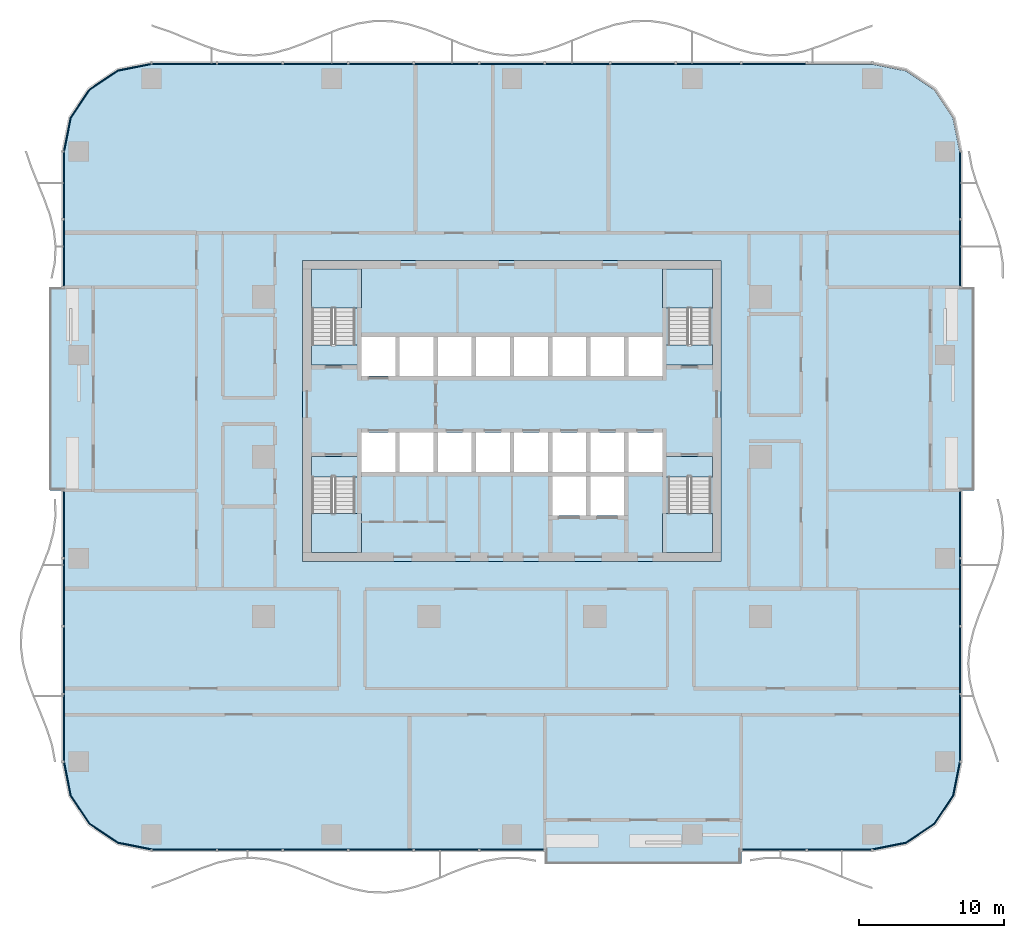
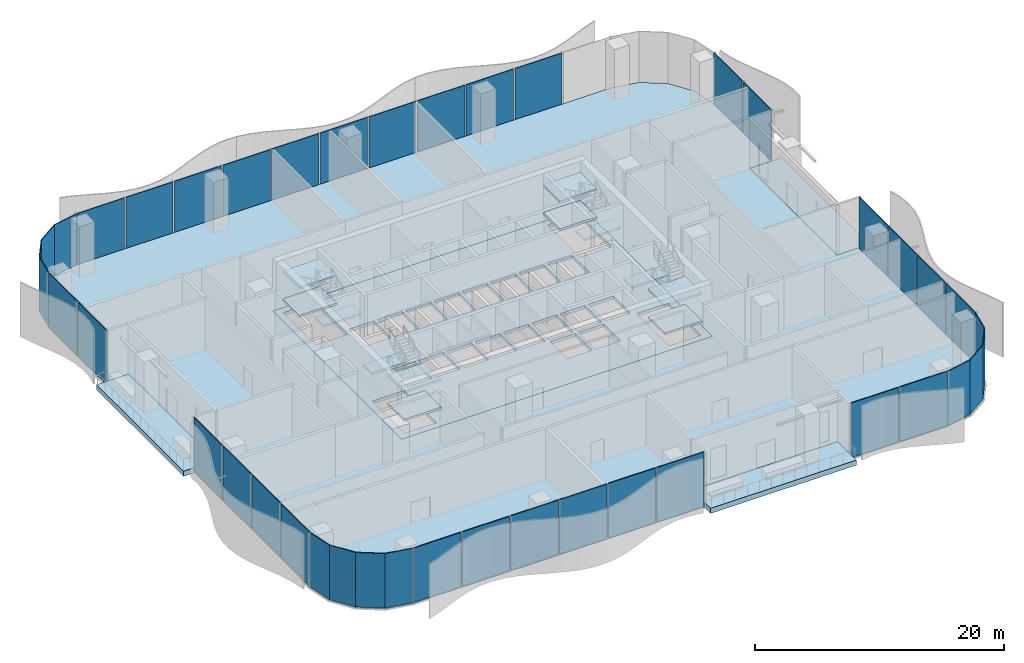
# One storey, part 6 of 21: 33 plates, 17 slabs, 14 elements without a shape of their own.
"""IFC4 building model written with IfcOpenShell, lengths in metres."""

from ifc_helpers import new_model, si_unit, direction, frame, origin, origin_2d, place, context, subcontext, project, spatial, polyline, rectangle, outline, extrude, material, layer, layer_set, type_object, element, aggregate, save


model = new_model("IFC4")

# Units and contexts
model_context = context("Model", 3, precision=1e-05, world=origin(), true_north=direction((0.0, 1.0)))
body_context = subcontext(model_context, "Body", "Model", "MODEL_VIEW")
ifc_project = project(units=[si_unit("LENGTHUNIT", "METRE"), si_unit("AREAUNIT", "SQUARE_METRE"), si_unit("VOLUMEUNIT", "CUBIC_METRE"), si_unit("PLANEANGLEUNIT", "RADIAN"), si_unit("MASSUNIT", "GRAM", prefix="KILO")], contexts=[model_context])

# Site, building, storey
site_placement = place(None, origin())
site = spatial("IfcSite", under=ifc_project, at=site_placement, CompositionType="ELEMENT")
building_placement = place(site_placement, origin())
building = spatial("IfcBuilding", under=site, at=building_placement, Name="Mopane Tessera Tower", CompositionType="ELEMENT")
storey_placement = place(building_placement, frame((0.0, 0.0, 20.0)))
storey = spatial("IfcBuildingStorey", under=building, at=storey_placement, Name="L03", CompositionType="ELEMENT", Elevation=20.0)

# Slab
ifc_material_1 = material(Name="Concrete C40/50", Category="concrete")
ifc_layer_1 = layer(ifc_material_1, 0.300048828125)
ifc_layer_set_1 = layer_set([ifc_layer_1], Name="Concrete C40/50")
slab_type_1 = type_object("IfcSlabType", Name="Core floor slab 300 mm", PredefinedType="FLOOR", material=ifc_layer_set_1)
slab_1_placement = place(storey_placement, frame((0.0, 0.0, -0.300048828125)))
element("IfcSlab", 1, at=slab_1_placement, inside=storey, type_object=slab_type_1, Name="L03 core floor slab", PredefinedType="FLOOR", context=body_context, shape_type="SweptSolid", body=[
    extrude(outline(polyline([(-14.39990234375, -7.199951171875), (14.39990234375, -7.199951171875), (14.39990234375, 13.5), (-14.39990234375, 13.5), (-14.39990234375, -7.199951171875)]), holes=[polyline([(-10.35009765625, -1.050048828125), (-8.02490234375, -1.050048828125), (-8.02490234375, 1.64990234375), (-10.35009765625, 1.64990234375), (-10.35009765625, -1.050048828125)]), polyline([(-7.72509765625, -1.050048828125), (-5.39990234375, -1.050048828125), (-5.39990234375, 1.64990234375), (-7.72509765625, 1.64990234375), (-7.72509765625, -1.050048828125)]), polyline([(-5.10009765625, -1.050048828125), (-2.77490234375, -1.050048828125), (-2.77490234375, 1.64990234375), (-5.10009765625, 1.64990234375), (-5.10009765625, -1.050048828125)]), polyline([(-2.47509765625, -1.050048828125), (-0.14990234375, -1.050048828125), (-0.14990234375, 1.64990234375), (-2.47509765625, 1.64990234375), (-2.47509765625, -1.050048828125)]), polyline([(0.14990234375, -1.050048828125), (2.47509765625, -1.050048828125), (2.47509765625, 1.64990234375), (0.14990234375, 1.64990234375), (0.14990234375, -1.050048828125)]), polyline([(2.77490234375, -1.050048828125), (5.10009765625, -1.050048828125), (5.10009765625, 1.64990234375), (2.77490234375, 1.64990234375), (2.77490234375, -1.050048828125)]), polyline([(5.39990234375, -1.050048828125), (7.72509765625, -1.050048828125), (7.72509765625, 1.64990234375), (5.39990234375, 1.64990234375), (5.39990234375, -1.050048828125)]), polyline([(8.02490234375, -1.050048828125), (10.35009765625, -1.050048828125), (10.35009765625, 1.64990234375), (8.02490234375, 1.64990234375), (8.02490234375, -1.050048828125)]), polyline([(-10.35009765625, 5.550048828125), (-8.02490234375, 5.550048828125), (-8.02490234375, 8.25), (-10.35009765625, 8.25), (-10.35009765625, 5.550048828125)]), polyline([(-7.72509765625, 5.550048828125), (-5.39990234375, 5.550048828125), (-5.39990234375, 8.25), (-7.72509765625, 8.25), (-7.72509765625, 5.550048828125)]), polyline([(-5.10009765625, 5.550048828125), (-2.77490234375, 5.550048828125), (-2.77490234375, 8.25), (-5.10009765625, 8.25), (-5.10009765625, 5.550048828125)]), polyline([(-2.47509765625, 5.550048828125), (-0.14990234375, 5.550048828125), (-0.14990234375, 8.25), (-2.47509765625, 8.25), (-2.47509765625, 5.550048828125)]), polyline([(0.14990234375, 5.550048828125), (2.47509765625, 5.550048828125), (2.47509765625, 8.25), (0.14990234375, 8.25), (0.14990234375, 5.550048828125)]), polyline([(2.77490234375, 5.550048828125), (5.10009765625, 5.550048828125), (5.10009765625, 8.25), (2.77490234375, 8.25), (2.77490234375, 5.550048828125)]), polyline([(5.39990234375, 5.550048828125), (7.72509765625, 5.550048828125), (7.72509765625, 8.25), (5.39990234375, 8.25), (5.39990234375, 5.550048828125)]), polyline([(8.02490234375, 5.550048828125), (10.35009765625, 5.550048828125), (10.35009765625, 8.25), (8.02490234375, 8.25), (8.02490234375, 5.550048828125)]), polyline([(2.77490234375, -4.050048828125), (5.10009765625, -4.050048828125), (5.10009765625, -1.35009765625), (2.77490234375, -1.35009765625), (2.77490234375, -4.050048828125)]), polyline([(5.39990234375, -4.050048828125), (7.72509765625, -4.050048828125), (7.72509765625, -1.35009765625), (5.39990234375, -1.35009765625), (5.39990234375, -4.050048828125)]), polyline([(-13.75, -1.405029296875), (-13.75, -6.60009765625), (-10.800048828125, -6.60009765625), (-10.800048828125, -1.405029296875), (-13.75, -1.405029296875)]), polyline([(-10.800048828125, 7.705078125), (-10.800048828125, 12.89990234375), (-13.75, 12.89990234375), (-13.75, 7.705078125), (-10.800048828125, 7.705078125)]), polyline([(10.75, -1.405029296875), (10.75, -6.60009765625), (13.699951171875, -6.60009765625), (13.699951171875, -1.405029296875), (10.75, -1.405029296875)]), polyline([(13.699951171875, 7.705078125), (13.699951171875, 12.89990234375), (10.75, 12.89990234375), (10.75, 7.705078125), (13.699951171875, 7.705078125)])]), origin(), (0.0, 0.0, 1.0), 0.300048828125),
])

# Stair, slabs
ifc_material_2 = material(Name="Concrete C50/60", Category="concrete")
stair_type = type_object("IfcStairType", Name="Escape stair 1400 mm, riser 138 mm", PredefinedType="HALF_TURN_STAIR", material=ifc_material_2)
stair_1_placement = place(storey_placement, origin())
stair_1 = element("IfcStair", 2, at=stair_1_placement, inside=storey, type_object=stair_type, Name="L03 Escape stair south-west", PredefinedType="HALF_TURN_STAIR")
ifc_material_3 = material(Name="Concrete C50/60", Category="concrete")
ifc_layer_2 = layer(ifc_material_3, 0.199951171875)
ifc_layer_set_2 = layer_set([ifc_layer_2], Name="Concrete C50/60")
slab_type_2 = type_object("IfcSlabType", Name="Escape stair landing 200 mm", PredefinedType="LANDING", material=ifc_layer_set_2)
slab_2_placement = place(storey_placement, frame((0.0, 0.0, 1.175048828125)))
slab_2 = element("IfcSlab", 3, at=slab_2_placement, type_object=slab_type_2, Name="ST1 landing 1", PredefinedType="LANDING", context=body_context, shape_type="SweptSolid", body=[
    extrude(outline(polyline([(-13.800048828125, -3.919921875), (-13.800048828125, -6.60009765625), (-10.35009765625, -6.60009765625), (-10.35009765625, -3.919921875), (-13.800048828125, -3.919921875)])), origin(), (0.0, 0.0, 1.0), 0.199951171875),
])
slab_3_placement = place(storey_placement, frame((0.0, 0.0, 2.550048828125)))
slab_3 = element("IfcSlab", 4, at=slab_3_placement, type_object=slab_type_2, Name="ST1 landing 2", PredefinedType="LANDING", context=body_context, shape_type="SweptSolid", body=[
    extrude(outline(polyline([(-13.800048828125, 0.0), (-13.800048828125, -1.39990234375), (-10.35009765625, -1.39990234375), (-10.35009765625, 0.0), (-13.800048828125, 0.0)])), origin(), (0.0, 0.0, 1.0), 0.199951171875),
])
slab_4_placement = place(storey_placement, frame((0.0, 0.0, 3.925048828125)))
slab_4 = element("IfcSlab", 5, at=slab_4_placement, type_object=slab_type_2, Name="ST1 landing 3", PredefinedType="LANDING", context=body_context, shape_type="SweptSolid", body=[
    extrude(outline(polyline([(-13.800048828125, -3.919921875), (-13.800048828125, -6.60009765625), (-10.35009765625, -6.60009765625), (-10.35009765625, -3.919921875), (-13.800048828125, -3.919921875)])), origin(), (0.0, 0.0, 1.0), 0.199951171875),
])
aggregate(stair_1, [slab_2, slab_3, slab_4])

stair_2_placement = place(storey_placement, origin())
stair_2 = element("IfcStair", 6, at=stair_2_placement, inside=storey, type_object=stair_type, Name="L03 Escape stair north-west", PredefinedType="HALF_TURN_STAIR")
slab_5_placement = place(storey_placement, frame((0.0, 0.0, 1.175048828125)))
slab_5 = element("IfcSlab", 7, at=slab_5_placement, type_object=slab_type_2, Name="ST2 landing 1", PredefinedType="LANDING", context=body_context, shape_type="SweptSolid", body=[
    extrude(outline(polyline([(-10.35009765625, 10.219970703125), (-10.35009765625, 12.89990234375), (-13.800048828125, 12.89990234375), (-13.800048828125, 10.219970703125), (-10.35009765625, 10.219970703125)])), origin(), (0.0, 0.0, 1.0), 0.199951171875),
])
slab_6_placement = place(storey_placement, frame((0.0, 0.0, 2.550048828125)))
slab_6 = element("IfcSlab", 8, at=slab_6_placement, type_object=slab_type_2, Name="ST2 landing 2", PredefinedType="LANDING", context=body_context, shape_type="SweptSolid", body=[
    extrude(outline(polyline([(-10.35009765625, 6.300048828125), (-10.35009765625, 7.699951171875), (-13.800048828125, 7.699951171875), (-13.800048828125, 6.300048828125), (-10.35009765625, 6.300048828125)])), origin(), (0.0, 0.0, 1.0), 0.199951171875),
])
slab_7_placement = place(storey_placement, frame((0.0, 0.0, 3.925048828125)))
slab_7 = element("IfcSlab", 9, at=slab_7_placement, type_object=slab_type_2, Name="ST2 landing 3", PredefinedType="LANDING", context=body_context, shape_type="SweptSolid", body=[
    extrude(outline(polyline([(-10.35009765625, 10.219970703125), (-10.35009765625, 12.89990234375), (-13.800048828125, 12.89990234375), (-13.800048828125, 10.219970703125), (-10.35009765625, 10.219970703125)])), origin(), (0.0, 0.0, 1.0), 0.199951171875),
])
aggregate(stair_2, [slab_5, slab_6, slab_7])

stair_3_placement = place(storey_placement, origin())
stair_3 = element("IfcStair", 10, at=stair_3_placement, inside=storey, type_object=stair_type, Name="L03 Escape stair south-east", PredefinedType="HALF_TURN_STAIR")
slab_8_placement = place(storey_placement, frame((0.0, 0.0, 1.175048828125)))
slab_8 = element("IfcSlab", 11, at=slab_8_placement, type_object=slab_type_2, Name="ST3 landing 1", PredefinedType="LANDING", context=body_context, shape_type="SweptSolid", body=[
    extrude(outline(polyline([(10.35009765625, -3.919921875), (10.35009765625, -6.60009765625), (13.800048828125, -6.60009765625), (13.800048828125, -3.919921875), (10.35009765625, -3.919921875)])), origin(), (0.0, 0.0, 1.0), 0.199951171875),
])
slab_9_placement = place(storey_placement, frame((0.0, 0.0, 2.550048828125)))
slab_9 = element("IfcSlab", 12, at=slab_9_placement, type_object=slab_type_2, Name="ST3 landing 2", PredefinedType="LANDING", context=body_context, shape_type="SweptSolid", body=[
    extrude(outline(polyline([(10.35009765625, 0.0), (10.35009765625, -1.39990234375), (13.800048828125, -1.39990234375), (13.800048828125, 0.0), (10.35009765625, 0.0)])), origin(), (0.0, 0.0, 1.0), 0.199951171875),
])
slab_10_placement = place(storey_placement, frame((0.0, 0.0, 3.925048828125)))
slab_10 = element("IfcSlab", 13, at=slab_10_placement, type_object=slab_type_2, Name="ST3 landing 3", PredefinedType="LANDING", context=body_context, shape_type="SweptSolid", body=[
    extrude(outline(polyline([(10.35009765625, -3.919921875), (10.35009765625, -6.60009765625), (13.800048828125, -6.60009765625), (13.800048828125, -3.919921875), (10.35009765625, -3.919921875)])), origin(), (0.0, 0.0, 1.0), 0.199951171875),
])
aggregate(stair_3, [slab_8, slab_9, slab_10])

stair_4_placement = place(storey_placement, origin())
stair_4 = element("IfcStair", 14, at=stair_4_placement, inside=storey, type_object=stair_type, Name="L03 Escape stair north-east", PredefinedType="HALF_TURN_STAIR")
slab_11_placement = place(storey_placement, frame((0.0, 0.0, 1.175048828125)))
slab_11 = element("IfcSlab", 15, at=slab_11_placement, type_object=slab_type_2, Name="ST4 landing 1", PredefinedType="LANDING", context=body_context, shape_type="SweptSolid", body=[
    extrude(outline(polyline([(13.800048828125, 10.219970703125), (13.800048828125, 12.89990234375), (10.35009765625, 12.89990234375), (10.35009765625, 10.219970703125), (13.800048828125, 10.219970703125)])), origin(), (0.0, 0.0, 1.0), 0.199951171875),
])
slab_12_placement = place(storey_placement, frame((0.0, 0.0, 2.550048828125)))
slab_12 = element("IfcSlab", 16, at=slab_12_placement, type_object=slab_type_2, Name="ST4 landing 2", PredefinedType="LANDING", context=body_context, shape_type="SweptSolid", body=[
    extrude(outline(polyline([(13.800048828125, 6.300048828125), (13.800048828125, 7.699951171875), (10.35009765625, 7.699951171875), (10.35009765625, 6.300048828125), (13.800048828125, 6.300048828125)])), origin(), (0.0, 0.0, 1.0), 0.199951171875),
])
slab_13_placement = place(storey_placement, frame((0.0, 0.0, 3.925048828125)))
slab_13 = element("IfcSlab", 17, at=slab_13_placement, type_object=slab_type_2, Name="ST4 landing 3", PredefinedType="LANDING", context=body_context, shape_type="SweptSolid", body=[
    extrude(outline(polyline([(13.800048828125, 10.219970703125), (13.800048828125, 12.89990234375), (10.35009765625, 12.89990234375), (10.35009765625, 10.219970703125), (13.800048828125, 10.219970703125)])), origin(), (0.0, 0.0, 1.0), 0.199951171875),
])
aggregate(stair_4, [slab_11, slab_12, slab_13])

# Slabs
ifc_material_4 = material(Name="Concrete C40/50", Category="concrete")
ifc_layer_3 = layer(ifc_material_4, 0.5)
ifc_layer_set_3 = layer_set([ifc_layer_3], Name="Concrete C40/50")
slab_type_3 = type_object("IfcSlabType", Name="Planted terrace slab 500 mm", PredefinedType="FLOOR", material=ifc_layer_set_3)
slab_14_placement = place(storey_placement, frame((0.0, 0.0, -0.5)))
element("IfcSlab", 18, at=slab_14_placement, inside=storey, type_object=slab_type_3, Name="Terrace slab N1 L03", PredefinedType="FLOOR", context=body_context, shape_type="SweptSolid", body=[
    extrude(outline(polyline([(15.78173828125, -28.0), (15.78173828125, -25.0), (2.254638671875, -25.0), (2.254638671875, -28.0), (15.78173828125, -28.0)])), origin(), (0.0, 0.0, 1.0), 0.5),
])
slab_15_placement = place(storey_placement, frame((0.0, 0.0, -0.5)))
element("IfcSlab", 19, at=slab_15_placement, inside=storey, type_object=slab_type_3, Name="Terrace slab N2 L03", PredefinedType="FLOOR", context=body_context, shape_type="SweptSolid", body=[
    extrude(outline(polyline([(31.800048828125, 11.666748046875), (28.800048828125, 11.666748046875), (28.800048828125, -2.333251953125), (31.800048828125, -2.333251953125), (31.800048828125, 11.666748046875)])), origin(), (0.0, 0.0, 1.0), 0.5),
])
slab_16_placement = place(storey_placement, frame((0.0, 0.0, -0.5)))
element("IfcSlab", 20, at=slab_16_placement, inside=storey, type_object=slab_type_3, Name="Terrace slab N3 L03", PredefinedType="FLOOR", context=body_context, shape_type="SweptSolid", body=[
    extrude(outline(polyline([(-31.800048828125, -2.333251953125), (-28.800048828125, -2.333251953125), (-28.800048828125, 11.666748046875), (-31.800048828125, 11.666748046875), (-31.800048828125, -2.333251953125)])), origin(), (0.0, 0.0, 1.0), 0.5),
])

# Curtain wall, plates
ifc_material_5 = material(Name="Aluminium frame", Category="aluminium")
curtain_wall_type = type_object("IfcCurtainWallType", Name="Podium unitised wall", PredefinedType="NOTDEFINED", material=ifc_material_5)
curtain_wall_1_placement = place(storey_placement, origin())
curtain_wall_1 = element("IfcCurtainWall", 21, at=curtain_wall_1_placement, inside=storey, type_object=curtain_wall_type, Name="e:cw:L03:S:0", PredefinedType="NOTDEFINED")
ifc_material_6 = material(Name="Limestone spandrel", Category="masonry")
ifc_layer_4 = layer(ifc_material_6, 0.080078125)
ifc_layer_set_4 = layer_set([ifc_layer_4], Name="Limestone spandrel")
plate_type = type_object("IfcPlateType", Name="Podium stone spandrel unit", PredefinedType="CURTAIN_PANEL", material=ifc_layer_set_4)
plate_1_placement = place(storey_placement, frame((-22.54541015625, -27.0400390625, -0.33984375), z_axis=(0.0, 0.0, 1.0), x_axis=(1.0, 0.0, 0.0)))
plate_1 = element("IfcPlate", 22, at=plate_1_placement, type_object=plate_type, Name="e:cw:L03:S:0:pn0", PredefinedType="CURTAIN_PANEL", context=body_context, shape_type="SweptSolid", body=[
    extrude(rectangle(XDim=4.384033203125, YDim=0.080078125, at=origin_2d()), origin(), (0.0, 0.0, 1.0), 5.340087890625),
])
plate_2_placement = place(storey_placement, frame((-18.036376953125, -27.0400390625, -0.33984375), z_axis=(0.0, 0.0, 1.0), x_axis=(1.0, 0.0, 0.0)))
plate_2 = element("IfcPlate", 23, at=plate_2_placement, type_object=plate_type, Name="e:cw:L03:S:0:pn1", PredefinedType="CURTAIN_PANEL", context=body_context, shape_type="SweptSolid", body=[
    extrude(rectangle(XDim=4.384033203125, YDim=0.080078125, at=origin_2d()), origin(), (0.0, 0.0, 1.0), 5.340087890625),
])
plate_3_placement = place(storey_placement, frame((-13.52734375, -27.0400390625, -0.33984375), z_axis=(0.0, 0.0, 1.0), x_axis=(1.0, 0.0, 0.0)))
plate_3 = element("IfcPlate", 24, at=plate_3_placement, type_object=plate_type, Name="e:cw:L03:S:0:pn2", PredefinedType="CURTAIN_PANEL", context=body_context, shape_type="SweptSolid", body=[
    extrude(rectangle(XDim=4.384033203125, YDim=0.080078125, at=origin_2d()), origin(), (0.0, 0.0, 1.0), 5.340087890625),
])
plate_4_placement = place(storey_placement, frame((-9.01806640625, -27.0400390625, -0.33984375), z_axis=(0.0, 0.0, 1.0), x_axis=(1.0, 0.0, 0.0)))
plate_4 = element("IfcPlate", 25, at=plate_4_placement, type_object=plate_type, Name="e:cw:L03:S:0:pn3", PredefinedType="CURTAIN_PANEL", context=body_context, shape_type="SweptSolid", body=[
    extrude(rectangle(XDim=4.384033203125, YDim=0.080078125, at=origin_2d()), origin(), (0.0, 0.0, 1.0), 5.340087890625),
])
plate_5_placement = place(storey_placement, frame((-4.509033203125, -27.0400390625, -0.33984375), z_axis=(0.0, 0.0, 1.0), x_axis=(1.0, 0.0, 0.0)))
plate_5 = element("IfcPlate", 26, at=plate_5_placement, type_object=plate_type, Name="e:cw:L03:S:0:pn4", PredefinedType="CURTAIN_PANEL", context=body_context, shape_type="SweptSolid", body=[
    extrude(rectangle(XDim=4.384033203125, YDim=0.080078125, at=origin_2d()), origin(), (0.0, 0.0, 1.0), 5.340087890625),
])
plate_6_placement = place(storey_placement, frame((0.0, -27.0400390625, -0.33984375), z_axis=(0.0, 0.0, 1.0), x_axis=(1.0, 0.0, 0.0)))
plate_6 = element("IfcPlate", 27, at=plate_6_placement, type_object=plate_type, Name="e:cw:L03:S:0:pn5", PredefinedType="CURTAIN_PANEL", context=body_context, shape_type="SweptSolid", body=[
    extrude(rectangle(XDim=4.384033203125, YDim=0.080078125, at=origin_2d()), origin(), (0.0, 0.0, 1.0), 5.340087890625),
])
aggregate(curtain_wall_1, [plate_1, plate_2, plate_3, plate_4, plate_5, plate_6])

curtain_wall_2_placement = place(storey_placement, origin())
curtain_wall_2 = element("IfcCurtainWall", 28, at=curtain_wall_2_placement, inside=storey, type_object=curtain_wall_type, Name="e:cw:L03:S:9", PredefinedType="NOTDEFINED")
plate_7_placement = place(storey_placement, frame((18.036376953125, -27.0400390625, -0.33984375), z_axis=(0.0, 0.0, 1.0), x_axis=(1.0, 0.0, 0.0)))
plate_7 = element("IfcPlate", 29, at=plate_7_placement, type_object=plate_type, Name="e:cw:L03:S:9:pn9", PredefinedType="CURTAIN_PANEL", context=body_context, shape_type="SweptSolid", body=[
    extrude(rectangle(XDim=4.384033203125, YDim=0.080078125, at=origin_2d()), origin(), (0.0, 0.0, 1.0), 5.340087890625),
])
plate_8_placement = place(storey_placement, frame((22.54541015625, -27.0400390625, -0.33984375), z_axis=(0.0, 0.0, 1.0), x_axis=(1.0, 0.0, 0.0)))
plate_8 = element("IfcPlate", 30, at=plate_8_placement, type_object=plate_type, Name="e:cw:L03:S:9:pn10", PredefinedType="CURTAIN_PANEL", context=body_context, shape_type="SweptSolid", body=[
    extrude(rectangle(XDim=4.384033203125, YDim=0.080078125, at=origin_2d()), origin(), (0.0, 0.0, 1.0), 5.340087890625),
])
aggregate(curtain_wall_2, [plate_7, plate_8])

# Curtain wall, plate
curtain_wall_3_placement = place(storey_placement, origin())
curtain_wall_3 = element("IfcCurtainWall", 31, at=curtain_wall_3_placement, inside=storey, type_object=curtain_wall_type, Name="e:cw:L03:CS", PredefinedType="NOTDEFINED")
plate_9_placement = place(storey_placement, frame((0.0, 0.0, -0.340087890625)))
plate_9 = element("IfcPlate", 32, at=plate_9_placement, type_object=plate_type, Name="e:cw:L03:CS:pn", PredefinedType="CURTAIN_PANEL", context=body_context, shape_type="SweptSolid", body=[
    extrude(outline(polyline([(24.800048828125, -27.0), (27.09619140625, -26.543212890625), (29.042724609375, -25.24267578125), (30.34326171875, -23.296142578125), (30.800048828125, -21.0), (30.8798828125, -21.0), (30.417236328125, -23.32666015625), (29.09912109375, -25.29931640625), (27.126708984375, -26.6171875), (24.800048828125, -27.080078125), (24.800048828125, -27.0)])), origin(), (0.0, 0.0, 1.0), 5.340087890625),
])
aggregate(curtain_wall_3, [plate_9])

# Curtain wall, plates
curtain_wall_4_placement = place(storey_placement, origin())
curtain_wall_4 = element("IfcCurtainWall", 33, at=curtain_wall_4_placement, inside=storey, type_object=curtain_wall_type, Name="e:cw:L03:E:0", PredefinedType="NOTDEFINED")
plate_10_placement = place(storey_placement, frame((30.840087890625, -18.666748046875, -0.33984375), z_axis=(0.0, 0.0, 1.0), x_axis=(0.0, 1.0, 0.0)))
plate_10 = element("IfcPlate", 34, at=plate_10_placement, type_object=plate_type, Name="e:cw:L03:E:0:pn0", PredefinedType="CURTAIN_PANEL", context=body_context, shape_type="SweptSolid", body=[
    extrude(rectangle(XDim=4.541748046875, YDim=0.080078125, at=origin_2d()), origin(), (0.0, 0.0, 1.0), 5.340087890625),
])
plate_11_placement = place(storey_placement, frame((30.840087890625, -14.0, -0.33984375), z_axis=(0.0, 0.0, 1.0), x_axis=(0.0, 1.0, 0.0)))
plate_11 = element("IfcPlate", 35, at=plate_11_placement, type_object=plate_type, Name="e:cw:L03:E:0:pn1", PredefinedType="CURTAIN_PANEL", context=body_context, shape_type="SweptSolid", body=[
    extrude(rectangle(XDim=4.541748046875, YDim=0.080078125, at=origin_2d()), origin(), (0.0, 0.0, 1.0), 5.340087890625),
])
plate_12_placement = place(storey_placement, frame((30.840087890625, -9.333251953125, -0.33984375), z_axis=(0.0, 0.0, 1.0), x_axis=(0.0, 1.0, 0.0)))
plate_12 = element("IfcPlate", 36, at=plate_12_placement, type_object=plate_type, Name="e:cw:L03:E:0:pn2", PredefinedType="CURTAIN_PANEL", context=body_context, shape_type="SweptSolid", body=[
    extrude(rectangle(XDim=4.541748046875, YDim=0.080078125, at=origin_2d()), origin(), (0.0, 0.0, 1.0), 5.340087890625),
])
plate_13_placement = place(storey_placement, frame((30.840087890625, -4.666748046875, -0.33984375), z_axis=(0.0, 0.0, 1.0), x_axis=(0.0, 1.0, 0.0)))
plate_13 = element("IfcPlate", 37, at=plate_13_placement, type_object=plate_type, Name="e:cw:L03:E:0:pn3", PredefinedType="CURTAIN_PANEL", context=body_context, shape_type="SweptSolid", body=[
    extrude(rectangle(XDim=4.541748046875, YDim=0.080078125, at=origin_2d()), origin(), (0.0, 0.0, 1.0), 5.340087890625),
])
aggregate(curtain_wall_4, [plate_10, plate_11, plate_12, plate_13])

curtain_wall_5_placement = place(storey_placement, origin())
curtain_wall_5 = element("IfcCurtainWall", 38, at=curtain_wall_5_placement, inside=storey, type_object=curtain_wall_type, Name="e:cw:L03:E:7", PredefinedType="NOTDEFINED")
plate_14_placement = place(storey_placement, frame((30.840087890625, 14.0, -0.33984375), z_axis=(0.0, 0.0, 1.0), x_axis=(0.0, 1.0, 0.0)))
plate_14 = element("IfcPlate", 39, at=plate_14_placement, type_object=plate_type, Name="e:cw:L03:E:7:pn7", PredefinedType="CURTAIN_PANEL", context=body_context, shape_type="SweptSolid", body=[
    extrude(rectangle(XDim=4.541748046875, YDim=0.080078125, at=origin_2d()), origin(), (0.0, 0.0, 1.0), 5.340087890625),
])
plate_15_placement = place(storey_placement, frame((30.840087890625, 18.666748046875, -0.33984375), z_axis=(0.0, 0.0, 1.0), x_axis=(0.0, 1.0, 0.0)))
plate_15 = element("IfcPlate", 40, at=plate_15_placement, type_object=plate_type, Name="e:cw:L03:E:7:pn8", PredefinedType="CURTAIN_PANEL", context=body_context, shape_type="SweptSolid", body=[
    extrude(rectangle(XDim=4.541748046875, YDim=0.080078125, at=origin_2d()), origin(), (0.0, 0.0, 1.0), 5.340087890625),
])
aggregate(curtain_wall_5, [plate_14, plate_15])

curtain_wall_6_placement = place(storey_placement, origin())
curtain_wall_6 = element("IfcCurtainWall", 41, at=curtain_wall_6_placement, inside=storey, type_object=curtain_wall_type, Name="e:cw:L03:N:0", PredefinedType="NOTDEFINED")
plate_16_placement = place(storey_placement, frame((18.036376953125, 27.0400390625, -0.33984375), z_axis=(0.0, 0.0, 1.0), x_axis=(-1.0, 0.0, 0.0)))
plate_16 = element("IfcPlate", 42, at=plate_16_placement, type_object=plate_type, Name="e:cw:L03:N:0:pn1", PredefinedType="CURTAIN_PANEL", context=body_context, shape_type="SweptSolid", body=[
    extrude(rectangle(XDim=4.384033203125, YDim=0.080078125, at=origin_2d()), origin(), (0.0, 0.0, 1.0), 5.340087890625),
])
plate_17_placement = place(storey_placement, frame((13.52734375, 27.0400390625, -0.33984375), z_axis=(0.0, 0.0, 1.0), x_axis=(-1.0, 0.0, 0.0)))
plate_17 = element("IfcPlate", 43, at=plate_17_placement, type_object=plate_type, Name="e:cw:L03:N:0:pn2", PredefinedType="CURTAIN_PANEL", context=body_context, shape_type="SweptSolid", body=[
    extrude(rectangle(XDim=4.384033203125, YDim=0.080078125, at=origin_2d()), origin(), (0.0, 0.0, 1.0), 5.340087890625),
])
plate_18_placement = place(storey_placement, frame((9.01806640625, 27.0400390625, -0.33984375), z_axis=(0.0, 0.0, 1.0), x_axis=(-1.0, 0.0, 0.0)))
plate_18 = element("IfcPlate", 44, at=plate_18_placement, type_object=plate_type, Name="e:cw:L03:N:0:pn3", PredefinedType="CURTAIN_PANEL", context=body_context, shape_type="SweptSolid", body=[
    extrude(rectangle(XDim=4.384033203125, YDim=0.080078125, at=origin_2d()), origin(), (0.0, 0.0, 1.0), 5.340087890625),
])
plate_19_placement = place(storey_placement, frame((4.509033203125, 27.0400390625, -0.33984375), z_axis=(0.0, 0.0, 1.0), x_axis=(-1.0, 0.0, 0.0)))
plate_19 = element("IfcPlate", 45, at=plate_19_placement, type_object=plate_type, Name="e:cw:L03:N:0:pn4", PredefinedType="CURTAIN_PANEL", context=body_context, shape_type="SweptSolid", body=[
    extrude(rectangle(XDim=4.384033203125, YDim=0.080078125, at=origin_2d()), origin(), (0.0, 0.0, 1.0), 5.340087890625),
])
plate_20_placement = place(storey_placement, frame((0.0, 27.0400390625, -0.33984375), z_axis=(0.0, 0.0, 1.0), x_axis=(-1.0, 0.0, 0.0)))
plate_20 = element("IfcPlate", 46, at=plate_20_placement, type_object=plate_type, Name="e:cw:L03:N:0:pn5", PredefinedType="CURTAIN_PANEL", context=body_context, shape_type="SweptSolid", body=[
    extrude(rectangle(XDim=4.384033203125, YDim=0.080078125, at=origin_2d()), origin(), (0.0, 0.0, 1.0), 5.340087890625),
])
plate_21_placement = place(storey_placement, frame((-4.509033203125, 27.0400390625, -0.33984375), z_axis=(0.0, 0.0, 1.0), x_axis=(-1.0, 0.0, 0.0)))
plate_21 = element("IfcPlate", 47, at=plate_21_placement, type_object=plate_type, Name="e:cw:L03:N:0:pn6", PredefinedType="CURTAIN_PANEL", context=body_context, shape_type="SweptSolid", body=[
    extrude(rectangle(XDim=4.384033203125, YDim=0.080078125, at=origin_2d()), origin(), (0.0, 0.0, 1.0), 5.340087890625),
])
plate_22_placement = place(storey_placement, frame((-9.01806640625, 27.0400390625, -0.33984375), z_axis=(0.0, 0.0, 1.0), x_axis=(-1.0, 0.0, 0.0)))
plate_22 = element("IfcPlate", 48, at=plate_22_placement, type_object=plate_type, Name="e:cw:L03:N:0:pn7", PredefinedType="CURTAIN_PANEL", context=body_context, shape_type="SweptSolid", body=[
    extrude(rectangle(XDim=4.384033203125, YDim=0.080078125, at=origin_2d()), origin(), (0.0, 0.0, 1.0), 5.340087890625),
])
plate_23_placement = place(storey_placement, frame((-13.52734375, 27.0400390625, -0.33984375), z_axis=(0.0, 0.0, 1.0), x_axis=(-1.0, 0.0, 0.0)))
plate_23 = element("IfcPlate", 49, at=plate_23_placement, type_object=plate_type, Name="e:cw:L03:N:0:pn8", PredefinedType="CURTAIN_PANEL", context=body_context, shape_type="SweptSolid", body=[
    extrude(rectangle(XDim=4.384033203125, YDim=0.080078125, at=origin_2d()), origin(), (0.0, 0.0, 1.0), 5.340087890625),
])
plate_24_placement = place(storey_placement, frame((-18.036376953125, 27.0400390625, -0.33984375), z_axis=(0.0, 0.0, 1.0), x_axis=(-1.0, 0.0, 0.0)))
plate_24 = element("IfcPlate", 50, at=plate_24_placement, type_object=plate_type, Name="e:cw:L03:N:0:pn9", PredefinedType="CURTAIN_PANEL", context=body_context, shape_type="SweptSolid", body=[
    extrude(rectangle(XDim=4.384033203125, YDim=0.080078125, at=origin_2d()), origin(), (0.0, 0.0, 1.0), 5.340087890625),
])
plate_25_placement = place(storey_placement, frame((-22.54541015625, 27.0400390625, -0.33984375), z_axis=(0.0, 0.0, 1.0), x_axis=(-1.0, 0.0, 0.0)))
plate_25 = element("IfcPlate", 51, at=plate_25_placement, type_object=plate_type, Name="e:cw:L03:N:0:pn10", PredefinedType="CURTAIN_PANEL", context=body_context, shape_type="SweptSolid", body=[
    extrude(rectangle(XDim=4.384033203125, YDim=0.080078125, at=origin_2d()), origin(), (0.0, 0.0, 1.0), 5.340087890625),
])
aggregate(curtain_wall_6, [plate_16, plate_17, plate_18, plate_19, plate_20, plate_21, plate_22, plate_23, plate_24, plate_25])

# Curtain wall, plate
curtain_wall_7_placement = place(storey_placement, origin())
curtain_wall_7 = element("IfcCurtainWall", 52, at=curtain_wall_7_placement, inside=storey, type_object=curtain_wall_type, Name="e:cw:L03:CN", PredefinedType="NOTDEFINED")
plate_26_placement = place(storey_placement, frame((0.0, 0.0, -0.340087890625)))
plate_26 = element("IfcPlate", 53, at=plate_26_placement, type_object=plate_type, Name="e:cw:L03:CN:pn", PredefinedType="CURTAIN_PANEL", context=body_context, shape_type="SweptSolid", body=[
    extrude(outline(polyline([(-24.800048828125, 27.0), (-27.09619140625, 26.543212890625), (-29.042724609375, 25.24267578125), (-30.34326171875, 23.296142578125), (-30.800048828125, 21.0), (-30.8798828125, 21.0), (-30.417236328125, 23.32666015625), (-29.09912109375, 25.29931640625), (-27.126708984375, 26.6171875), (-24.800048828125, 27.080078125), (-24.800048828125, 27.0)])), origin(), (0.0, 0.0, 1.0), 5.340087890625),
])
aggregate(curtain_wall_7, [plate_26])

# Curtain wall, plates
curtain_wall_8_placement = place(storey_placement, origin())
curtain_wall_8 = element("IfcCurtainWall", 54, at=curtain_wall_8_placement, inside=storey, type_object=curtain_wall_type, Name="e:cw:L03:W:0", PredefinedType="NOTDEFINED")
plate_27_placement = place(storey_placement, frame((-30.840087890625, 18.666748046875, -0.33984375), z_axis=(0.0, 0.0, 1.0), x_axis=(0.0, -1.0, 0.0)))
plate_27 = element("IfcPlate", 55, at=plate_27_placement, type_object=plate_type, Name="e:cw:L03:W:0:pn0", PredefinedType="CURTAIN_PANEL", context=body_context, shape_type="SweptSolid", body=[
    extrude(rectangle(XDim=4.541748046875, YDim=0.080078125, at=origin_2d()), origin(), (0.0, 0.0, 1.0), 5.340087890625),
])
plate_28_placement = place(storey_placement, frame((-30.840087890625, 14.0, -0.33984375), z_axis=(0.0, 0.0, 1.0), x_axis=(0.0, -1.0, 0.0)))
plate_28 = element("IfcPlate", 56, at=plate_28_placement, type_object=plate_type, Name="e:cw:L03:W:0:pn1", PredefinedType="CURTAIN_PANEL", context=body_context, shape_type="SweptSolid", body=[
    extrude(rectangle(XDim=4.541748046875, YDim=0.080078125, at=origin_2d()), origin(), (0.0, 0.0, 1.0), 5.340087890625),
])
aggregate(curtain_wall_8, [plate_27, plate_28])

curtain_wall_9_placement = place(storey_placement, origin())
curtain_wall_9 = element("IfcCurtainWall", 57, at=curtain_wall_9_placement, inside=storey, type_object=curtain_wall_type, Name="e:cw:L03:W:5", PredefinedType="NOTDEFINED")
plate_29_placement = place(storey_placement, frame((-30.840087890625, -4.666748046875, -0.33984375), z_axis=(0.0, 0.0, 1.0), x_axis=(0.0, -1.0, 0.0)))
plate_29 = element("IfcPlate", 58, at=plate_29_placement, type_object=plate_type, Name="e:cw:L03:W:5:pn5", PredefinedType="CURTAIN_PANEL", context=body_context, shape_type="SweptSolid", body=[
    extrude(rectangle(XDim=4.541748046875, YDim=0.080078125, at=origin_2d()), origin(), (0.0, 0.0, 1.0), 5.340087890625),
])
plate_30_placement = place(storey_placement, frame((-30.840087890625, -9.333251953125, -0.33984375), z_axis=(0.0, 0.0, 1.0), x_axis=(0.0, -1.0, 0.0)))
plate_30 = element("IfcPlate", 59, at=plate_30_placement, type_object=plate_type, Name="e:cw:L03:W:5:pn6", PredefinedType="CURTAIN_PANEL", context=body_context, shape_type="SweptSolid", body=[
    extrude(rectangle(XDim=4.541748046875, YDim=0.080078125, at=origin_2d()), origin(), (0.0, 0.0, 1.0), 5.340087890625),
])
plate_31_placement = place(storey_placement, frame((-30.840087890625, -14.0, -0.33984375), z_axis=(0.0, 0.0, 1.0), x_axis=(0.0, -1.0, 0.0)))
plate_31 = element("IfcPlate", 60, at=plate_31_placement, type_object=plate_type, Name="e:cw:L03:W:5:pn7", PredefinedType="CURTAIN_PANEL", context=body_context, shape_type="SweptSolid", body=[
    extrude(rectangle(XDim=4.541748046875, YDim=0.080078125, at=origin_2d()), origin(), (0.0, 0.0, 1.0), 5.340087890625),
])
plate_32_placement = place(storey_placement, frame((-30.840087890625, -18.666748046875, -0.33984375), z_axis=(0.0, 0.0, 1.0), x_axis=(0.0, -1.0, 0.0)))
plate_32 = element("IfcPlate", 61, at=plate_32_placement, type_object=plate_type, Name="e:cw:L03:W:5:pn8", PredefinedType="CURTAIN_PANEL", context=body_context, shape_type="SweptSolid", body=[
    extrude(rectangle(XDim=4.541748046875, YDim=0.080078125, at=origin_2d()), origin(), (0.0, 0.0, 1.0), 5.340087890625),
])
aggregate(curtain_wall_9, [plate_29, plate_30, plate_31, plate_32])

# Curtain wall, plate
curtain_wall_10_placement = place(storey_placement, origin())
curtain_wall_10 = element("IfcCurtainWall", 62, at=curtain_wall_10_placement, inside=storey, type_object=curtain_wall_type, Name="e:cw:L03:CW", PredefinedType="NOTDEFINED")
plate_33_placement = place(storey_placement, frame((0.0, 0.0, -0.340087890625)))
plate_33 = element("IfcPlate", 63, at=plate_33_placement, type_object=plate_type, Name="e:cw:L03:CW:pn", PredefinedType="CURTAIN_PANEL", context=body_context, shape_type="SweptSolid", body=[
    extrude(outline(polyline([(-30.800048828125, -21.0), (-30.34326171875, -23.296142578125), (-29.042724609375, -25.24267578125), (-27.09619140625, -26.543212890625), (-24.800048828125, -27.0), (-24.800048828125, -27.080078125), (-27.126708984375, -26.6171875), (-29.09912109375, -25.29931640625), (-30.417236328125, -23.32666015625), (-30.8798828125, -21.0), (-30.800048828125, -21.0)])), origin(), (0.0, 0.0, 1.0), 5.340087890625),
])
aggregate(curtain_wall_10, [plate_33])

# Slab
ifc_material_7 = material(Name="Concrete C40/50", Category="concrete")
ifc_layer_5 = layer(ifc_material_7, 0.5)
ifc_layer_set_5 = layer_set([ifc_layer_5], Name="Concrete C40/50")
slab_type_4 = type_object("IfcSlabType", Name="Post-tensioned flat plate 500 mm", PredefinedType="FLOOR", material=ifc_layer_set_5)
slab_17_placement = place(storey_placement, frame((0.0, 0.0, -0.5)))
element("IfcSlab", 64, at=slab_17_placement, inside=storey, type_object=slab_type_4, Name="Floor slab L03", PredefinedType="FLOOR", context=body_context, shape_type="SweptSolid", body=[
    extrude(outline(polyline([(-24.800048828125, -27.0), (2.254638671875, -27.0), (2.254638671875, -25.0), (15.78173828125, -25.0), (15.78173828125, -27.0), (24.800048828125, -27.0), (27.09619140625, -26.543212890625), (29.042724609375, -25.24267578125), (30.34326171875, -23.296142578125), (30.800048828125, -21.0), (30.800048828125, -2.333251953125), (28.800048828125, -2.333251953125), (28.800048828125, 11.666748046875), (30.800048828125, 11.666748046875), (30.800048828125, 21.0), (30.34326171875, 23.296142578125), (29.042724609375, 25.24267578125), (27.09619140625, 26.543212890625), (24.800048828125, 27.0), (-24.800048828125, 27.0), (-27.09619140625, 26.543212890625), (-29.042724609375, 25.24267578125), (-30.34326171875, 23.296142578125), (-30.800048828125, 21.0), (-30.800048828125, 11.666748046875), (-28.800048828125, 11.666748046875), (-28.800048828125, -2.333251953125), (-30.800048828125, -2.333251953125), (-30.800048828125, -21.0), (-30.34326171875, -23.296142578125), (-29.042724609375, -25.24267578125), (-27.09619140625, -26.543212890625), (-24.800048828125, -27.0)]), holes=[polyline([(14.39990234375, -7.199951171875), (-14.39990234375, -7.199951171875), (-14.39990234375, 13.5), (14.39990234375, 13.5), (14.39990234375, -7.199951171875)])]), origin(), (0.0, 0.0, 1.0), 0.5),
])

save(model, "model.ifc")
